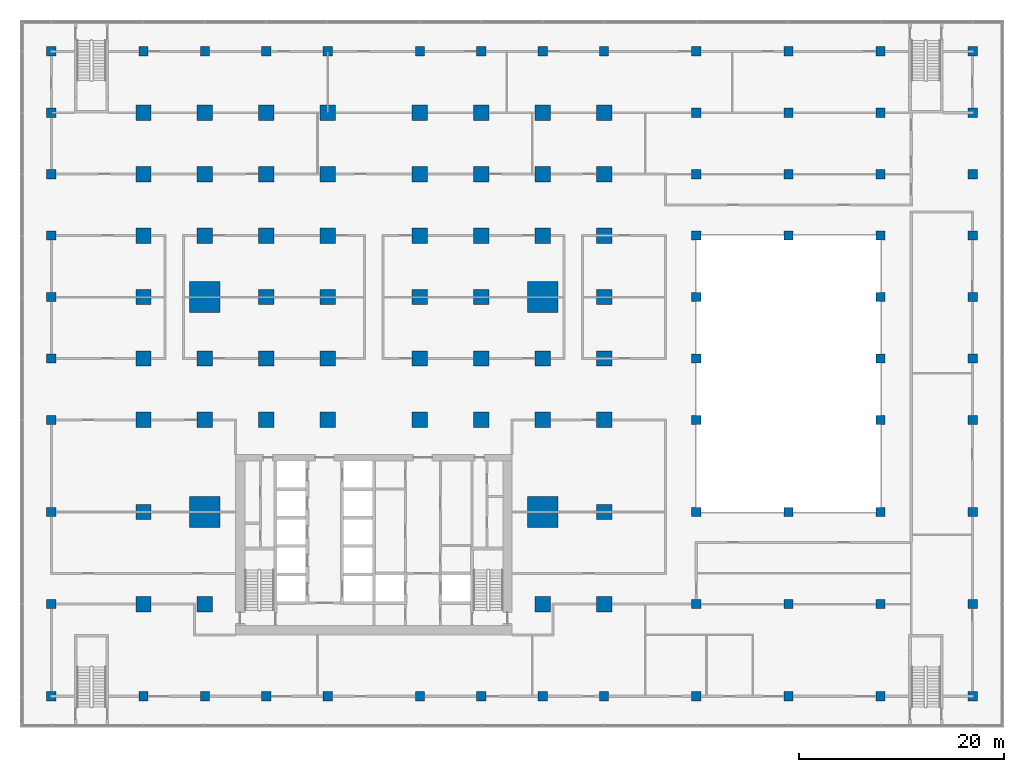
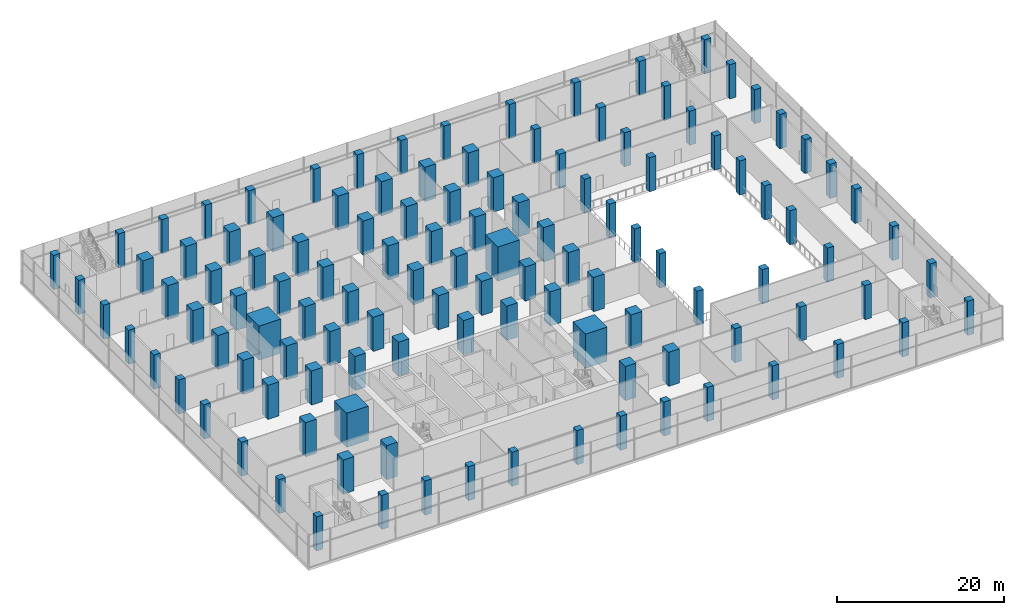
# One storey, part 1 of 22: 119 columns.
"""IFC4 building model written with IfcOpenShell, lengths in metres."""

from ifc_helpers import new_model, si_unit, direction, frame, origin, origin_2d, place, context, subcontext, project, spatial, rectangle, extrude, material, material_profile, profile_set, type_object, element, save


model = new_model("IFC4")

# Units and contexts
model_context = context("Model", 3, precision=1e-05, world=origin(), true_north=direction((0.0, 1.0)))
body_context = subcontext(model_context, "Body", "Model", "MODEL_VIEW")
ifc_project = project(units=[si_unit("LENGTHUNIT", "METRE"), si_unit("AREAUNIT", "SQUARE_METRE"), si_unit("VOLUMEUNIT", "CUBIC_METRE"), si_unit("PLANEANGLEUNIT", "RADIAN"), si_unit("MASSUNIT", "GRAM", prefix="KILO")], contexts=[model_context])

# Site, building, storey
site_placement = place(None, origin())
site = spatial("IfcSite", under=ifc_project, at=site_placement, CompositionType="ELEMENT")
building_placement = place(site_placement, origin())
building = spatial("IfcBuilding", under=site, at=building_placement, Name="Finial Court Residences", CompositionType="ELEMENT")
storey_placement = place(building_placement, frame((0.0, 0.0, 13.5)))
storey = spatial("IfcBuildingStorey", under=building, at=storey_placement, Name="L02", CompositionType="ELEMENT", Elevation=13.5)

# Columns
ifc_material_1 = material(Name="Concrete C80/95", Category="concrete")
ifc_material_profile_1 = material_profile(ifc_material_1, rectangle(XDim=1.5, YDim=1.5, at=origin_2d()), Name="1500x1500")
ifc_profile_set_1 = profile_set([ifc_material_profile_1], Name="Concrete C80/95")
column_type_1 = type_object("IfcColumnType", Name="Interior column 1500x1500 Concrete C80/95", PredefinedType="COLUMN", material=ifc_profile_set_1)
for number, where, z_axis, x_axis, name in (
    (1, (-22.5, -22.5, 0.0), (0.0, 0.0, 1.0), (1.0, 0.0, 0.0), "S:COL:L02:B2"),
    (2, (-22.5, -13.5, 0.0), (0.0, 0.0, 1.0), (1.0, 0.0, 0.0), "S:COL:L02:B3"),
    (3, (-22.5, -4.5, 0.0), (0.0, 0.0, 1.0), (1.0, 0.0, 0.0), "S:COL:L02:B4"),
    (4, (-22.5, 1.5, 0.0), (0.0, 0.0, 1.0), (1.0, 0.0, 0.0), "S:COL:L02:B5"),
    (5, (-22.5, 7.5, 0.0), (0.0, 0.0, 1.0), (1.0, 0.0, 0.0), "S:COL:L02:B6"),
    (6, (-22.5, 13.5, 0.0), (0.0, 0.0, 1.0), (1.0, 0.0, 0.0), "S:COL:L02:B7"),
    (7, (-22.5, 19.5, 0.0), (0.0, 0.0, 1.0), (1.0, 0.0, 0.0), "S:COL:L02:B8"),
    (8, (-22.5, 25.5, 0.0), (0.0, 0.0, 1.0), (1.0, 0.0, 0.0), "S:COL:L02:B9"),
    (9, (-16.5, -22.5, 0.0), (0.0, 0.0, 1.0), (1.0, 0.0, 0.0), "S:COL:L02:C2"),
    (10, (-16.5, -4.5, 0.0), (0.0, 0.0, 1.0), (1.0, 0.0, 0.0), "S:COL:L02:C4"),
    (11, (-16.5, 1.5, 0.0), (0.0, 0.0, 1.0), (1.0, 0.0, 0.0), "S:COL:L02:C5"),
    (12, (-16.5, 13.5, 0.0), (0.0, 0.0, 1.0), (1.0, 0.0, 0.0), "S:COL:L02:C7"),
    (13, (-16.5, 19.5, 0.0), (0.0, 0.0, 1.0), (1.0, 0.0, 0.0), "S:COL:L02:C8"),
    (14, (-16.5, 25.5, 0.0), (0.0, 0.0, 1.0), (1.0, 0.0, 0.0), "S:COL:L02:C9"),
    (15, (-10.5, -4.5, 0.0), (0.0, 0.0, 1.0), (1.0, 0.0, 0.0), "S:COL:L02:D4"),
    (16, (-10.5, 1.5, 0.0), (0.0, 0.0, 1.0), (1.0, 0.0, 0.0), "S:COL:L02:D5"),
    (17, (-10.5, 7.5, 0.0), (0.0, 0.0, 1.0), (1.0, 0.0, 0.0), "S:COL:L02:D6"),
    (18, (-10.5, 13.5, 0.0), (0.0, 0.0, 1.0), (1.0, 0.0, 0.0), "S:COL:L02:D7"),
    (19, (-10.5, 19.5, 0.0), (0.0, 0.0, 1.0), (1.0, 0.0, 0.0), "S:COL:L02:D8"),
    (20, (-10.5, 25.5, 0.0), (0.0, 0.0, 1.0), (1.0, 0.0, 0.0), "S:COL:L02:D9"),
    (21, (-4.5, -4.5, 0.0), (0.0, 0.0, 1.0), (1.0, 0.0, 0.0), "S:COL:L02:E4"),
    (22, (-4.5, 1.5, 0.0), (0.0, 0.0, 1.0), (1.0, 0.0, 0.0), "S:COL:L02:E5"),
    (23, (-4.5, 7.5, 0.0), (0.0, 0.0, 1.0), (1.0, 0.0, 0.0), "S:COL:L02:E6"),
    (24, (-4.5, 13.5, 0.0), (0.0, 0.0, 1.0), (1.0, 0.0, 0.0), "S:COL:L02:E7"),
    (25, (-4.5, 19.5, 0.0), (0.0, 0.0, 1.0), (1.0, 0.0, 0.0), "S:COL:L02:E8"),
    (26, (-4.5, 25.5, 0.0), (0.0, 0.0, 1.0), (1.0, 0.0, 0.0), "S:COL:L02:E9"),
    (27, (4.5, -4.5, 0.0), (0.0, 0.0, 1.0), (1.0, 0.0, 0.0), "S:COL:L02:F4"),
    (28, (4.5, 1.5, 0.0), (0.0, 0.0, 1.0), (1.0, 0.0, 0.0), "S:COL:L02:F5"),
    (29, (4.5, 7.5, 0.0), (0.0, 0.0, 1.0), (1.0, 0.0, 0.0), "S:COL:L02:F6"),
    (30, (4.5, 13.5, 0.0), (0.0, 0.0, 1.0), (1.0, 0.0, 0.0), "S:COL:L02:F7"),
    (31, (4.5, 19.5, 0.0), (0.0, 0.0, 1.0), (1.0, 0.0, 0.0), "S:COL:L02:F8"),
    (32, (4.5, 25.5, 0.0), (0.0, 0.0, 1.0), (1.0, 0.0, 0.0), "S:COL:L02:F9"),
    (33, (10.5, -4.5, 0.0), (0.0, 0.0, 1.0), (1.0, 0.0, 0.0), "S:COL:L02:G4"),
    (34, (10.5, 1.5, 0.0), (0.0, 0.0, 1.0), (1.0, 0.0, 0.0), "S:COL:L02:G5"),
    (35, (10.5, 7.5, 0.0), (0.0, 0.0, 1.0), (1.0, 0.0, 0.0), "S:COL:L02:G6"),
    (36, (10.5, 13.5, 0.0), (0.0, 0.0, 1.0), (1.0, 0.0, 0.0), "S:COL:L02:G7"),
    (37, (10.5, 19.5, 0.0), (0.0, 0.0, 1.0), (1.0, 0.0, 0.0), "S:COL:L02:G8"),
    (38, (10.5, 25.5, 0.0), (0.0, 0.0, 1.0), (1.0, 0.0, 0.0), "S:COL:L02:G9"),
    (39, (16.5, -22.5, 0.0), (0.0, 0.0, 1.0), (1.0, 0.0, 0.0), "S:COL:L02:H2"),
    (40, (16.5, -4.5, 0.0), (0.0, 0.0, 1.0), (1.0, 0.0, 0.0), "S:COL:L02:H4"),
    (41, (16.5, 1.5, 0.0), (0.0, 0.0, 1.0), (1.0, 0.0, 0.0), "S:COL:L02:H5"),
    (42, (16.5, 13.5, 0.0), (0.0, 0.0, 1.0), (1.0, 0.0, 0.0), "S:COL:L02:H7"),
    (43, (16.5, 19.5, 0.0), (0.0, 0.0, 1.0), (1.0, 0.0, 0.0), "S:COL:L02:H8"),
    (44, (16.5, 25.5, 0.0), (0.0, 0.0, 1.0), (1.0, 0.0, 0.0), "S:COL:L02:H9"),
    (45, (22.5, -22.5, 0.0), (0.0, 0.0, 1.0), (1.0, 0.0, 0.0), "S:COL:L02:I2"),
    (46, (22.5, -13.5, 0.0), (0.0, 0.0, 1.0), (1.0, 0.0, 0.0), "S:COL:L02:I3"),
    (47, (22.5, -4.5, 0.0), (0.0, 0.0, 1.0), (1.0, 0.0, 0.0), "S:COL:L02:I4"),
    (48, (22.5, 1.5, 0.0), (0.0, 0.0, 1.0), (1.0, 0.0, 0.0), "S:COL:L02:I5"),
    (49, (22.5, 7.5, 0.0), (0.0, 0.0, 1.0), (1.0, 0.0, 0.0), "S:COL:L02:I6"),
    (50, (22.5, 13.5, 0.0), (0.0, 0.0, 1.0), (1.0, 0.0, 0.0), "S:COL:L02:I7"),
    (51, (22.5, 19.5, 0.0), (0.0, 0.0, 1.0), (1.0, 0.0, 0.0), "S:COL:L02:I8"),
    (52, (22.5, 25.5, 0.0), (0.0, 0.0, 1.0), (1.0, 0.0, 0.0), "S:COL:L02:I9"),
):
    element("IfcColumn", number, at=place(storey_placement, frame(where, z_axis=z_axis, x_axis=x_axis)), inside=storey, type_object=column_type_1, Name=name, PredefinedType="COLUMN", context=body_context, shape_type="SweptSolid", body=[
        extrude(rectangle(XDim=1.5, YDim=1.5, at=origin_2d()), origin(), (0.0, 0.0, 1.0), 5.0),
    ])
ifc_material_profile_2 = material_profile(ifc_material_1, rectangle(XDim=3.0, YDim=3.0, at=origin_2d()), Name="3000x3000")
ifc_profile_set_2 = profile_set([ifc_material_profile_2], Name="Concrete C80/95")
column_type_2 = type_object("IfcColumnType", Name="Mega column 3000x3000 Concrete C80/95", PredefinedType="COLUMN", material=ifc_profile_set_2)
for number, where, z_axis, x_axis, name in (
    (53, (-16.5, -13.5, 0.0), (0.0, 0.0, 1.0), (1.0, 0.0, 0.0), "S:COL:L02:C3"),
    (54, (-16.5, 7.5, 0.0), (0.0, 0.0, 1.0), (1.0, 0.0, 0.0), "S:COL:L02:C6"),
    (55, (16.5, -13.5, 0.0), (0.0, 0.0, 1.0), (1.0, 0.0, 0.0), "S:COL:L02:H3"),
    (56, (16.5, 7.5, 0.0), (0.0, 0.0, 1.0), (1.0, 0.0, 0.0), "S:COL:L02:H6"),
):
    element("IfcColumn", number, at=place(storey_placement, frame(where, z_axis=z_axis, x_axis=x_axis)), inside=storey, type_object=column_type_2, Name=name, PredefinedType="COLUMN", context=body_context, shape_type="SweptSolid", body=[
        extrude(rectangle(XDim=3.0, YDim=3.0, at=origin_2d()), origin(), (0.0, 0.0, 1.0), 5.0),
    ])
ifc_material_2 = material(Name="Concrete C50/60", Category="concrete")
ifc_material_profile_3 = material_profile(ifc_material_2, rectangle(XDim=0.89990234375, YDim=0.89990234375, at=origin_2d()), Name="900x900")
ifc_profile_set_3 = profile_set([ifc_material_profile_3], Name="Concrete C50/60")
column_type_3 = type_object("IfcColumnType", Name="Podium column 900x900 Concrete C50/60", PredefinedType="COLUMN", material=ifc_profile_set_3)
for number, where, z_axis, x_axis, name in (
    (57, (-31.5, -31.5, 0.0), (0.0, 0.0, 1.0), (1.0, 0.0, 0.0), "S:COL:L02:A1"),
    (58, (-31.5, -22.5, 0.0), (0.0, 0.0, 1.0), (1.0, 0.0, 0.0), "S:COL:L02:A2"),
    (59, (-31.5, -13.5, 0.0), (0.0, 0.0, 1.0), (1.0, 0.0, 0.0), "S:COL:L02:A3"),
    (60, (-31.5, -4.5, 0.0), (0.0, 0.0, 1.0), (1.0, 0.0, 0.0), "S:COL:L02:A4"),
    (61, (-31.5, 1.5, 0.0), (0.0, 0.0, 1.0), (1.0, 0.0, 0.0), "S:COL:L02:A5"),
    (62, (-31.5, 7.5, 0.0), (0.0, 0.0, 1.0), (1.0, 0.0, 0.0), "S:COL:L02:A6"),
    (63, (-31.5, 13.5, 0.0), (0.0, 0.0, 1.0), (1.0, 0.0, 0.0), "S:COL:L02:A7"),
    (64, (-31.5, 19.5, 0.0), (0.0, 0.0, 1.0), (1.0, 0.0, 0.0), "S:COL:L02:A8"),
    (65, (-31.5, 25.5, 0.0), (0.0, 0.0, 1.0), (1.0, 0.0, 0.0), "S:COL:L02:A9"),
    (66, (-31.5, 31.5, 0.0), (0.0, 0.0, 1.0), (1.0, 0.0, 0.0), "S:COL:L02:A10"),
    (67, (-22.5, -31.5, 0.0), (0.0, 0.0, 1.0), (1.0, 0.0, 0.0), "S:COL:L02:B1"),
    (68, (-22.5, 31.5, 0.0), (0.0, 0.0, 1.0), (1.0, 0.0, 0.0), "S:COL:L02:B10"),
    (69, (-16.5, -31.5, 0.0), (0.0, 0.0, 1.0), (1.0, 0.0, 0.0), "S:COL:L02:C1"),
    (70, (-16.5, 31.5, 0.0), (0.0, 0.0, 1.0), (1.0, 0.0, 0.0), "S:COL:L02:C10"),
    (71, (-10.5, -31.5, 0.0), (0.0, 0.0, 1.0), (1.0, 0.0, 0.0), "S:COL:L02:D1"),
    (72, (-10.5, 31.5, 0.0), (0.0, 0.0, 1.0), (1.0, 0.0, 0.0), "S:COL:L02:D10"),
    (73, (-4.5, -31.5, 0.0), (0.0, 0.0, 1.0), (1.0, 0.0, 0.0), "S:COL:L02:E1"),
    (74, (-4.5, 31.5, 0.0), (0.0, 0.0, 1.0), (1.0, 0.0, 0.0), "S:COL:L02:E10"),
    (75, (4.5, -31.5, 0.0), (0.0, 0.0, 1.0), (1.0, 0.0, 0.0), "S:COL:L02:F1"),
    (76, (4.5, 31.5, 0.0), (0.0, 0.0, 1.0), (1.0, 0.0, 0.0), "S:COL:L02:F10"),
    (77, (10.5, -31.5, 0.0), (0.0, 0.0, 1.0), (1.0, 0.0, 0.0), "S:COL:L02:G1"),
    (78, (10.5, 31.5, 0.0), (0.0, 0.0, 1.0), (1.0, 0.0, 0.0), "S:COL:L02:G10"),
    (79, (16.5, -31.5, 0.0), (0.0, 0.0, 1.0), (1.0, 0.0, 0.0), "S:COL:L02:H1"),
    (80, (16.5, 31.5, 0.0), (0.0, 0.0, 1.0), (1.0, 0.0, 0.0), "S:COL:L02:H10"),
    (81, (22.5, -31.5, 0.0), (0.0, 0.0, 1.0), (1.0, 0.0, 0.0), "S:COL:L02:I1"),
    (82, (22.5, 31.5, 0.0), (0.0, 0.0, 1.0), (1.0, 0.0, 0.0), "S:COL:L02:I10"),
    (83, (31.5, -31.5, 0.0), (0.0, 0.0, 1.0), (1.0, 0.0, 0.0), "S:COL:L02:J1"),
    (84, (31.5, -22.5, 0.0), (0.0, 0.0, 1.0), (1.0, 0.0, 0.0), "S:COL:L02:J2"),
    (85, (31.5, -13.5, 0.0), (0.0, 0.0, 1.0), (1.0, 0.0, 0.0), "S:COL:L02:J3"),
    (86, (31.5, -4.5, 0.0), (0.0, 0.0, 1.0), (1.0, 0.0, 0.0), "S:COL:L02:J4"),
    (87, (31.5, 1.5, 0.0), (0.0, 0.0, 1.0), (1.0, 0.0, 0.0), "S:COL:L02:J5"),
    (88, (31.5, 7.5, 0.0), (0.0, 0.0, 1.0), (1.0, 0.0, 0.0), "S:COL:L02:J6"),
    (89, (31.5, 13.5, 0.0), (0.0, 0.0, 1.0), (1.0, 0.0, 0.0), "S:COL:L02:J7"),
    (90, (31.5, 19.5, 0.0), (0.0, 0.0, 1.0), (1.0, 0.0, 0.0), "S:COL:L02:J8"),
    (91, (31.5, 25.5, 0.0), (0.0, 0.0, 1.0), (1.0, 0.0, 0.0), "S:COL:L02:J9"),
    (92, (31.5, 31.5, 0.0), (0.0, 0.0, 1.0), (1.0, 0.0, 0.0), "S:COL:L02:J10"),
    (93, (40.5, -31.5, 0.0), (0.0, 0.0, 1.0), (1.0, 0.0, 0.0), "S:COL:L02:K1"),
    (94, (40.5, -22.5, 0.0), (0.0, 0.0, 1.0), (1.0, 0.0, 0.0), "S:COL:L02:K2"),
    (95, (40.5, -13.5, 0.0), (0.0, 0.0, 1.0), (1.0, 0.0, 0.0), "S:COL:L02:K3"),
    (96, (40.5, 13.5, 0.0), (0.0, 0.0, 1.0), (1.0, 0.0, 0.0), "S:COL:L02:K7"),
    (97, (40.5, 19.5, 0.0), (0.0, 0.0, 1.0), (1.0, 0.0, 0.0), "S:COL:L02:K8"),
    (98, (40.5, 25.5, 0.0), (0.0, 0.0, 1.0), (1.0, 0.0, 0.0), "S:COL:L02:K9"),
    (99, (40.5, 31.5, 0.0), (0.0, 0.0, 1.0), (1.0, 0.0, 0.0), "S:COL:L02:K10"),
    (100, (49.5, -31.5, 0.0), (0.0, 0.0, 1.0), (1.0, 0.0, 0.0), "S:COL:L02:L1"),
    (101, (49.5, -22.5, 0.0), (0.0, 0.0, 1.0), (1.0, 0.0, 0.0), "S:COL:L02:L2"),
    (102, (49.5, -13.5, 0.0), (0.0, 0.0, 1.0), (1.0, 0.0, 0.0), "S:COL:L02:L3"),
    (103, (49.5, -4.5, 0.0), (0.0, 0.0, 1.0), (1.0, 0.0, 0.0), "S:COL:L02:L4"),
    (104, (49.5, 1.5, 0.0), (0.0, 0.0, 1.0), (1.0, 0.0, 0.0), "S:COL:L02:L5"),
    (105, (49.5, 7.5, 0.0), (0.0, 0.0, 1.0), (1.0, 0.0, 0.0), "S:COL:L02:L6"),
    (106, (49.5, 13.5, 0.0), (0.0, 0.0, 1.0), (1.0, 0.0, 0.0), "S:COL:L02:L7"),
    (107, (49.5, 19.5, 0.0), (0.0, 0.0, 1.0), (1.0, 0.0, 0.0), "S:COL:L02:L8"),
    (108, (49.5, 25.5, 0.0), (0.0, 0.0, 1.0), (1.0, 0.0, 0.0), "S:COL:L02:L9"),
    (109, (49.5, 31.5, 0.0), (0.0, 0.0, 1.0), (1.0, 0.0, 0.0), "S:COL:L02:L10"),
    (110, (58.5, -31.5, 0.0), (0.0, 0.0, 1.0), (1.0, 0.0, 0.0), "S:COL:L02:M1"),
    (111, (58.5, -22.5, 0.0), (0.0, 0.0, 1.0), (1.0, 0.0, 0.0), "S:COL:L02:M2"),
    (112, (58.5, -13.5, 0.0), (0.0, 0.0, 1.0), (1.0, 0.0, 0.0), "S:COL:L02:M3"),
    (113, (58.5, -4.5, 0.0), (0.0, 0.0, 1.0), (1.0, 0.0, 0.0), "S:COL:L02:M4"),
    (114, (58.5, 1.5, 0.0), (0.0, 0.0, 1.0), (1.0, 0.0, 0.0), "S:COL:L02:M5"),
    (115, (58.5, 7.5, 0.0), (0.0, 0.0, 1.0), (1.0, 0.0, 0.0), "S:COL:L02:M6"),
    (116, (58.5, 13.5, 0.0), (0.0, 0.0, 1.0), (1.0, 0.0, 0.0), "S:COL:L02:M7"),
    (117, (58.5, 19.5, 0.0), (0.0, 0.0, 1.0), (1.0, 0.0, 0.0), "S:COL:L02:M8"),
    (118, (58.5, 25.5, 0.0), (0.0, 0.0, 1.0), (1.0, 0.0, 0.0), "S:COL:L02:M9"),
    (119, (58.5, 31.5, 0.0), (0.0, 0.0, 1.0), (1.0, 0.0, 0.0), "S:COL:L02:M10"),
):
    element("IfcColumn", number, at=place(storey_placement, frame(where, z_axis=z_axis, x_axis=x_axis)), inside=storey, type_object=column_type_3, Name=name, PredefinedType="COLUMN", context=body_context, shape_type="SweptSolid", body=[
        extrude(rectangle(XDim=0.89990234375, YDim=0.89990234375, at=origin_2d()), origin(), (0.0, 0.0, 1.0), 5.0),
    ])

save(model, "model.ifc")
